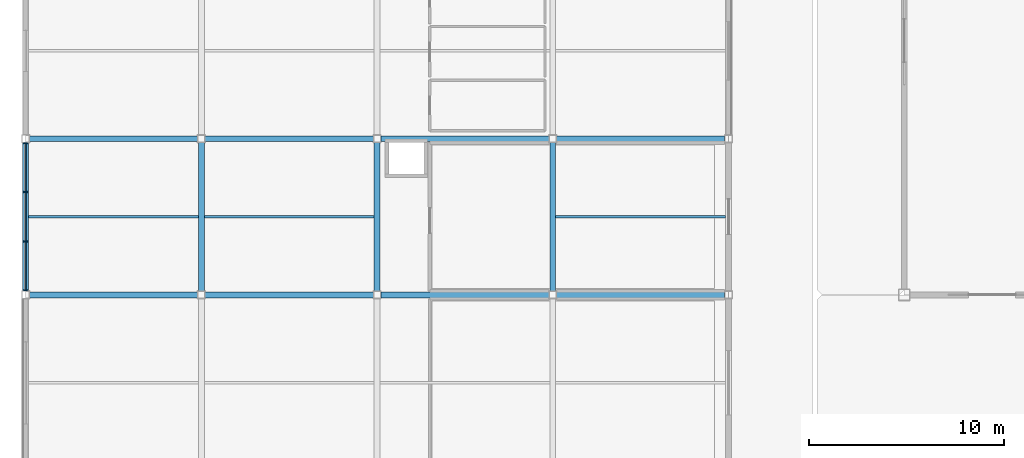
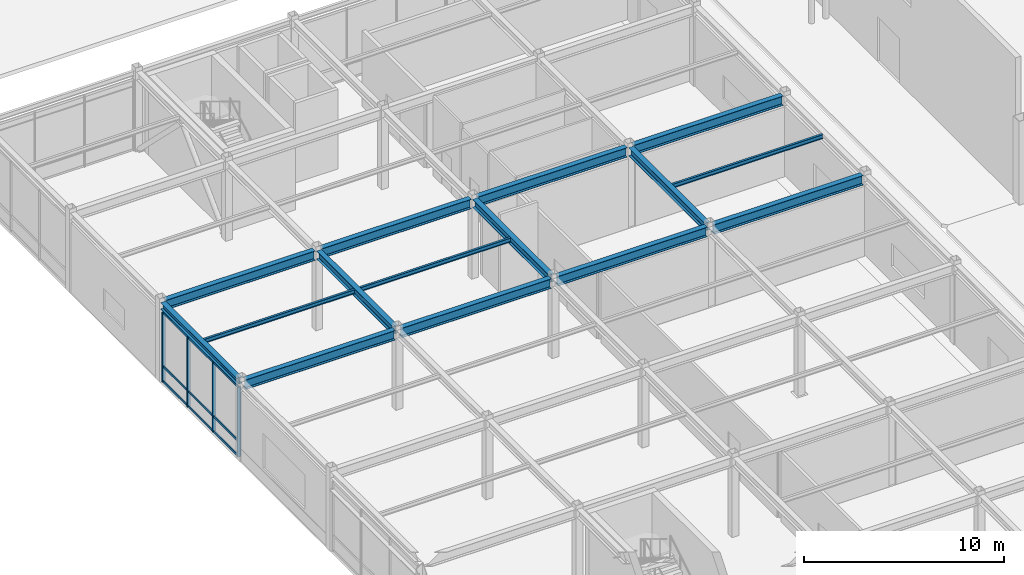
# One storey, part 31 of 123: 15 beams, 13 members, 1 element without a shape of its own.
"""IFC4 building model written with IfcOpenShell, lengths in metres."""

import ifcopenshell
import ifcopenshell.guid

model = None  # the IFC model being written
_history = None  # IfcOwnerHistory: only IFC2X3 demands one
_inside = {}  # id of a spatial element -> (the spatial element, [elements in it])
_under = {}  # id of a project, library or spatial element -> (it, [spatial elements below it])
_declared = {}  # id of a project -> (the project, [libraries it declares])
_typed = {}  # id of a type object -> (the type object, [elements of that type])
_made_of = {}  # id of a material, layer set ... -> (it, [elements and type objects made of it])


def new_model(schema):
    """Start an empty IFC model of exactly this schema.

    Asked for "IFC4X3", IfcOpenShell would pick the latest addendum, in which some entities
    have other attributes; the version numbers below select the first issue.
    IFC2X3 requires an IfcOwnerHistory on every rooted entity: one is made here for all.
    """
    global model, _history
    if schema == "IFC4X3":
        model = ifcopenshell.file(schema_version=(4, 3, 0, 0))
    else:
        model = ifcopenshell.file(schema=schema)
    _inside.clear()
    _under.clear()
    _declared.clear()
    _typed.clear()
    _made_of.clear()
    _history = None
    if model.schema == "IFC2X3":
        org = make("IfcOrganization", Name="unknown")
        user = make(
            "IfcPersonAndOrganization",
            ThePerson=make("IfcPerson", FamilyName="unknown"),
            TheOrganization=org,
        )
        app = make(
            "IfcApplication",
            ApplicationDeveloper=org,
            Version="unknown",
            ApplicationFullName="unknown",
            ApplicationIdentifier="unknown",
        )
        _history = make(
            "IfcOwnerHistory",
            OwningUser=user,
            OwningApplication=app,
            ChangeAction="ADDED",
            CreationDate=0,
        )
    return model


def make(cls, **values):
    """One entity of the class cls with the attributes given. An attribute that is None is left unset."""
    return model.create_entity(
        cls, **{name: value for name, value in values.items() if value is not None}
    )


def rooted(cls, **values):
    """An entity with a GlobalId (a new one), such as an element, a storey or a relation."""
    return make(cls, GlobalId=ifcopenshell.guid.new(), OwnerHistory=_history, **values)


def si_unit(unit_type, name, prefix=None):
    """IfcSIUnit, for example si_unit("LENGTHUNIT", "METRE", prefix="MILLI")."""
    return make("IfcSIUnit", UnitType=unit_type, Prefix=prefix, Name=name)


def assignment(units):
    """IfcUnitAssignment: the units of a project."""
    return None if units is None else make("IfcUnitAssignment", Units=units)


def point(xyz):
    """IfcCartesianPoint."""
    return None if xyz is None else make("IfcCartesianPoint", Coordinates=xyz)


def direction(xyz):
    """IfcDirection."""
    return None if xyz is None else make("IfcDirection", DirectionRatios=xyz)


def frame(location, z_axis=None, x_axis=None):
    """IfcAxis2Placement3D, a coordinate frame: its origin and axes. An axis left out is left unset."""
    return make(
        "IfcAxis2Placement3D",
        Location=point(location),
        Axis=direction(z_axis),
        RefDirection=direction(x_axis),
    )


def frame_2d(location, x_axis=None):
    """IfcAxis2Placement2D, a coordinate frame in the plane: its origin and x axis."""
    return make(
        "IfcAxis2Placement2D", Location=point(location), RefDirection=direction(x_axis)
    )


def origin():
    """The frame at (0, 0, 0) with its axes left unset."""
    return frame((0.0, 0.0, 0.0))


def origin_2d():
    """The frame at (0, 0) in the plane with its x axis left unset."""
    return frame_2d((0.0, 0.0))


def place(relative_to, where):
    """IfcLocalPlacement: puts the frame where relative to a parent placement (None: the world)."""
    return make(
        "IfcLocalPlacement", PlacementRelTo=relative_to, RelativePlacement=where
    )


def context(
    kind, dimensions, precision=None, world=None, true_north=None, identifier=None
):
    """IfcGeometricRepresentationContext, for example the 3D "Model" context."""
    return make(
        "IfcGeometricRepresentationContext",
        ContextIdentifier=identifier,
        ContextType=kind,
        CoordinateSpaceDimension=dimensions,
        Precision=precision,
        WorldCoordinateSystem=world,
        TrueNorth=true_north,
    )


def subcontext(parent, identifier, kind, view, scale=None):
    """IfcGeometricRepresentationSubContext, for example "Body" below "Model"."""
    return make(
        "IfcGeometricRepresentationSubContext",
        ContextIdentifier=identifier,
        ContextType=kind,
        ParentContext=parent,
        TargetScale=scale,
        TargetView=view,
    )


def project(units=None, contexts=None):
    """IfcProject with its units and contexts."""
    return rooted(
        "IfcProject",
        Name="project",
        RepresentationContexts=contexts,
        UnitsInContext=assignment(units),
    )


def spatial(cls, under=None, at=None, **own):
    """A site, building, storey or space (cls), placed at a placement, below another one or the project."""
    s = rooted(cls, ObjectPlacement=at, **own)
    if under is not None:
        _under.setdefault(under.id(), (under, []))[1].append(s)
    return s


def profile(cls, at=None, kind="AREA", **sizes):
    """A parametric profile (cls). Its sizes go by their IFC names, for example OverallWidth=200.0."""
    return make(cls, ProfileType=kind, Position=at, **sizes)


def rectangle(**sizes):
    """IfcRectangleProfileDef."""
    return profile("IfcRectangleProfileDef", **sizes)


def i_section(**sizes):
    """IfcIShapeProfileDef."""
    return profile("IfcIShapeProfileDef", **sizes)


def extrude(swept, where, along, depth):
    """IfcExtrudedAreaSolid: the profile swept, set in the frame where, extruded along a direction by depth."""
    return make(
        "IfcExtrudedAreaSolid",
        SweptArea=swept,
        Position=where,
        ExtrudedDirection=direction(along),
        Depth=depth,
    )


def shape(context_of_items, identifier, shape_type, items):
    """IfcShapeRepresentation: the items that make up one representation, for example the "Body"."""
    return make(
        "IfcShapeRepresentation",
        ContextOfItems=context_of_items,
        RepresentationIdentifier=identifier,
        RepresentationType=shape_type,
        Items=items,
    )


def material(Name=None, Category=None):
    """IfcMaterial."""
    return make("IfcMaterial", Name=Name, Category=Category)


def material_profile(
    of_material, cross_section, Name=None, Category=None, Priority=None
):
    """IfcMaterialProfile: a cross section and its material."""
    return make(
        "IfcMaterialProfile",
        Name=Name,
        Material=of_material,
        Profile=cross_section,
        Priority=Priority,
        Category=Category,
    )


def profile_set(profiles, Name=None, composite=None):
    """IfcMaterialProfileSet."""
    return make(
        "IfcMaterialProfileSet",
        Name=Name,
        MaterialProfiles=profiles,
        CompositeProfile=composite,
    )


def made_of(thing, what):
    """Note that an element or type object is made of a material, layer set ...; save() writes the relation."""
    if what is not None:
        _made_of.setdefault(what.id(), (what, []))[1].append(thing)
    return thing


def type_object(cls, material=None, **own):
    """A type object (cls), such as IfcWallType, which elements share."""
    return made_of(rooted(cls, **own), material)


def element(
    cls,
    number,
    at=None,
    inside=None,
    cuts=None,
    type_object=None,
    material=None,
    context=None,
    identifier="Body",
    shape_type=None,
    held_by="IfcProductDefinitionShape",
    body=None,
    shapes=None,
    **own,
):
    """One element of the class cls, such as IfcWall. Its Tag is "e" and its number.

    at: its placement. inside: the storey or other place that contains it. cuts: it is an
    opening in that element (IfcRelVoidsElement). A single representation is given by context,
    identifier, shape_type and body (its items); several are given by shapes. held_by: the class
    of the entity that holds the representations. save() writes the other relations.
    """
    e = rooted(cls, Tag="e%d" % number, ObjectPlacement=at, **own)
    if body is not None:
        shapes = [shape(context, identifier, shape_type, body)]
    if shapes is not None:
        e.Representation = make(held_by, Representations=shapes)
    if inside is not None:
        _inside.setdefault(inside.id(), (inside, []))[1].append(e)
    if cuts is not None:
        rooted(
            "IfcRelVoidsElement", RelatingBuildingElement=cuts, RelatedOpeningElement=e
        )
    if type_object is not None:
        _typed.setdefault(type_object.id(), (type_object, []))[1].append(e)
    return made_of(e, material)


def aggregate(whole, parts):
    """IfcRelAggregates: a whole, such as a stair, and the parts it consists of."""
    return rooted("IfcRelAggregates", RelatingObject=whole, RelatedObjects=parts)


def save(model, path):
    """Write the relations noted so far, then the file.

    IfcRelAggregates (storeys below a building ...), IfcRelContainedInSpatialStructure (elements
    in a storey), IfcRelDefinesByType, IfcRelAssociatesMaterial and IfcRelDeclares: one each for
    every whole, place, type object, material and project.
    """
    for whole, parts in _under.values():
        aggregate(whole, parts)
    for where, things in _inside.values():
        rooted(
            "IfcRelContainedInSpatialStructure",
            RelatedElements=things,
            RelatingStructure=where,
        )
    for kind, things in _typed.values():
        rooted("IfcRelDefinesByType", RelatedObjects=things, RelatingType=kind)
    for what, things in _made_of.values():
        rooted("IfcRelAssociatesMaterial", RelatedObjects=things, RelatingMaterial=what)
    for by, libraries in _declared.values():
        rooted("IfcRelDeclares", RelatingContext=by, RelatedDefinitions=libraries)
    model.write(path)


model = new_model("IFC4")

# Units and contexts
model_context = context("Model", 3, precision=1e-05, world=origin(), true_north=direction((0.0, 1.0)))
body_context = subcontext(model_context, "Body", "Model", "MODEL_VIEW")
ifc_project = project(units=[si_unit("LENGTHUNIT", "METRE"), si_unit("AREAUNIT", "SQUARE_METRE"), si_unit("VOLUMEUNIT", "CUBIC_METRE"), si_unit("PLANEANGLEUNIT", "RADIAN"), si_unit("MASSUNIT", "GRAM", prefix="KILO")], contexts=[model_context])

# Site, building, storey
site_placement = place(None, origin())
site = spatial("IfcSite", under=ifc_project, at=site_placement, CompositionType="ELEMENT")
building_placement = place(site_placement, origin())
building = spatial("IfcBuilding", under=site, at=building_placement, Name="Suzunagisa Mobility Hub", CompositionType="ELEMENT")
storey_placement = place(building_placement, origin())
storey = spatial("IfcBuildingStorey", under=building, at=storey_placement, Name="L00", CompositionType="ELEMENT", Elevation=0.0)

# Curtain wall, members
ifc_material_1 = material(Name="Thermally Broken Anodized Aluminum and Low-E Glazing", Category="aluminium")
curtain_wall_type = type_object("IfcCurtainWallType", Name="Unitised Curtain Wall CW-19 7500x4300", PredefinedType="USERDEFINED", material=ifc_material_1)
curtain_wall_placement = place(storey_placement, origin())
curtain_wall = element("IfcCurtainWall", 1, at=curtain_wall_placement, inside=storey, type_object=curtain_wall_type, Name="L00 Unitised Curtain Wall CW-8", ObjectType="UNITISED CURTAIN WALL", PredefinedType="USERDEFINED")
ifc_material_2 = material(Name="Anodized Aluminum 6063-T6", Category="aluminium")
ifc_material_profile_1 = material_profile(ifc_material_2, rectangle(XDim=0.06494140625, YDim=0.139892578125, at=origin_2d()), Name="TRAN-65x140")
ifc_profile_set_1 = profile_set([ifc_material_profile_1], Name="Anodized Aluminum 6063-T6")
member_type_1 = type_object("IfcMemberType", Name="Curtain Wall Framing CM-01 TRAN-65x140", PredefinedType="USERDEFINED", material=ifc_profile_set_1)
member_1_placement = place(storey_placement, frame((0.0, 43.737060546875, 0.032470703125), z_axis=(0.0, -1.0, 0.0), x_axis=(1.0, 0.0, 0.0)))
member_1 = element("IfcMember", 2, at=member_1_placement, type_object=member_type_1, Name="Curtain Wall Transom 8-T1.1", ObjectType="TRANSOM", PredefinedType="USERDEFINED", context=body_context, shape_type="SweptSolid", body=[
    extrude(rectangle(XDim=0.06494140625, YDim=0.139892578125, at=origin_2d()), origin(), (0.0, 0.0, 1.0), 2.43994140625),
])
member_2_placement = place(storey_placement, frame((0.0, 43.737060546875, 0.949951171875), z_axis=(0.0, -1.0, 0.0), x_axis=(1.0, 0.0, 0.0)))
member_2 = element("IfcMember", 3, at=member_2_placement, type_object=member_type_1, Name="Curtain Wall Transom 8-T1.2", ObjectType="TRANSOM", PredefinedType="USERDEFINED", context=body_context, shape_type="SweptSolid", body=[
    extrude(rectangle(XDim=0.06494140625, YDim=0.139892578125, at=origin_2d()), origin(), (0.0, 0.0, 1.0), 2.43994140625),
])
member_3_placement = place(storey_placement, frame((0.0, 43.737060546875, 4.2294921875), z_axis=(0.0, -1.0, 0.0), x_axis=(1.0, 0.0, 0.0)))
member_3 = element("IfcMember", 4, at=member_3_placement, type_object=member_type_1, Name="Curtain Wall Transom 8-T1.3", ObjectType="TRANSOM", PredefinedType="USERDEFINED", context=body_context, shape_type="SweptSolid", body=[
    extrude(rectangle(XDim=0.06494140625, YDim=0.139892578125, at=origin_2d()), origin(), (0.0, 0.0, 1.0), 2.43994140625),
])
member_4_placement = place(storey_placement, frame((0.0, 41.236083984375, 0.032470703125), z_axis=(0.0, -1.0, 0.0), x_axis=(1.0, 0.0, 0.0)))
member_4 = element("IfcMember", 5, at=member_4_placement, type_object=member_type_1, Name="Curtain Wall Transom 8-T2.1", ObjectType="TRANSOM", PredefinedType="USERDEFINED", context=body_context, shape_type="SweptSolid", body=[
    extrude(rectangle(XDim=0.06494140625, YDim=0.139892578125, at=origin_2d()), origin(), (0.0, 0.0, 1.0), 2.47216796875),
])
member_5_placement = place(storey_placement, frame((0.0, 41.236083984375, 0.949951171875), z_axis=(0.0, -1.0, 0.0), x_axis=(1.0, 0.0, 0.0)))
member_5 = element("IfcMember", 6, at=member_5_placement, type_object=member_type_1, Name="Curtain Wall Transom 8-T2.2", ObjectType="TRANSOM", PredefinedType="USERDEFINED", context=body_context, shape_type="SweptSolid", body=[
    extrude(rectangle(XDim=0.06494140625, YDim=0.139892578125, at=origin_2d()), origin(), (0.0, 0.0, 1.0), 2.47216796875),
])
member_6_placement = place(storey_placement, frame((0.0, 41.236083984375, 4.2294921875), z_axis=(0.0, -1.0, 0.0), x_axis=(1.0, 0.0, 0.0)))
member_6 = element("IfcMember", 7, at=member_6_placement, type_object=member_type_1, Name="Curtain Wall Transom 8-T2.3", ObjectType="TRANSOM", PredefinedType="USERDEFINED", context=body_context, shape_type="SweptSolid", body=[
    extrude(rectangle(XDim=0.06494140625, YDim=0.139892578125, at=origin_2d()), origin(), (0.0, 0.0, 1.0), 2.47216796875),
])
member_7_placement = place(storey_placement, frame((0.0, 38.702880859375, 0.032470703125), z_axis=(0.0, -1.0, 0.0), x_axis=(1.0, 0.0, 0.0)))
member_7 = element("IfcMember", 8, at=member_7_placement, type_object=member_type_1, Name="Curtain Wall Transom 8-T3.1", ObjectType="TRANSOM", PredefinedType="USERDEFINED", context=body_context, shape_type="SweptSolid", body=[
    extrude(rectangle(XDim=0.06494140625, YDim=0.139892578125, at=origin_2d()), origin(), (0.0, 0.0, 1.0), 2.43994140625),
])
member_8_placement = place(storey_placement, frame((0.0, 38.702880859375, 0.949951171875), z_axis=(0.0, -1.0, 0.0), x_axis=(1.0, 0.0, 0.0)))
member_8 = element("IfcMember", 9, at=member_8_placement, type_object=member_type_1, Name="Curtain Wall Transom 8-T3.2", ObjectType="TRANSOM", PredefinedType="USERDEFINED", context=body_context, shape_type="SweptSolid", body=[
    extrude(rectangle(XDim=0.06494140625, YDim=0.139892578125, at=origin_2d()), origin(), (0.0, 0.0, 1.0), 2.43994140625),
])
member_9_placement = place(storey_placement, frame((0.0, 38.702880859375, 4.2294921875), z_axis=(0.0, -1.0, 0.0), x_axis=(1.0, 0.0, 0.0)))
member_9 = element("IfcMember", 10, at=member_9_placement, type_object=member_type_1, Name="Curtain Wall Transom 8-T3.3", ObjectType="TRANSOM", PredefinedType="USERDEFINED", context=body_context, shape_type="SweptSolid", body=[
    extrude(rectangle(XDim=0.06494140625, YDim=0.139892578125, at=origin_2d()), origin(), (0.0, 0.0, 1.0), 2.43994140625),
])
ifc_material_profile_2 = material_profile(ifc_material_2, rectangle(XDim=0.06494140625, YDim=0.179931640625, at=origin_2d()), Name="MULL-65x180")
ifc_profile_set_2 = profile_set([ifc_material_profile_2], Name="Anodized Aluminum 6063-T6")
member_type_2 = type_object("IfcMemberType", Name="Curtain Wall Framing CM-04 MULL-65x180", PredefinedType="MULLION", material=ifc_profile_set_2)
member_10_placement = place(storey_placement, frame((0.0, 43.767578125, 0.0), z_axis=(0.0, 0.0, 1.0), x_axis=(0.0, -1.0, 0.0)))
member_10 = element("IfcMember", 11, at=member_10_placement, type_object=member_type_2, Name="Curtain Wall Mullion 8-M1", PredefinedType="MULLION", context=body_context, shape_type="SweptSolid", body=[
    extrude(rectangle(XDim=0.06494140625, YDim=0.179931640625, at=origin_2d()), origin(), (0.0, 0.0, 1.0), 4.261962890625),
])
member_11_placement = place(storey_placement, frame((0.0, 41.2666015625, 0.0), z_axis=(0.0, 0.0, 1.0), x_axis=(0.0, -1.0, 0.0)))
member_11 = element("IfcMember", 12, at=member_11_placement, type_object=member_type_2, Name="Curtain Wall Mullion 8-M2", PredefinedType="MULLION", context=body_context, shape_type="SweptSolid", body=[
    extrude(rectangle(XDim=0.06494140625, YDim=0.179931640625, at=origin_2d()), origin(), (0.0, 0.0, 1.0), 4.261962890625),
])
member_12_placement = place(storey_placement, frame((0.0, 38.7333984375, 0.0), z_axis=(0.0, 0.0, 1.0), x_axis=(0.0, -1.0, 0.0)))
member_12 = element("IfcMember", 13, at=member_12_placement, type_object=member_type_2, Name="Curtain Wall Mullion 8-M3", PredefinedType="MULLION", context=body_context, shape_type="SweptSolid", body=[
    extrude(rectangle(XDim=0.06494140625, YDim=0.179931640625, at=origin_2d()), origin(), (0.0, 0.0, 1.0), 4.261962890625),
])
member_13_placement = place(storey_placement, frame((0.0, 36.232421875, 0.0), z_axis=(0.0, 0.0, 1.0), x_axis=(0.0, -1.0, 0.0)))
member_13 = element("IfcMember", 14, at=member_13_placement, type_object=member_type_2, Name="Curtain Wall Mullion 8-M4", PredefinedType="MULLION", context=body_context, shape_type="SweptSolid", body=[
    extrude(rectangle(XDim=0.06494140625, YDim=0.179931640625, at=origin_2d()), origin(), (0.0, 0.0, 1.0), 4.261962890625),
])
aggregate(curtain_wall, [member_10, member_11, member_12, member_13, member_1, member_2, member_3, member_4, member_5, member_6, member_7, member_8, member_9])

# Beams
ifc_material_3 = material(Name="Steel SN490B", Category="steel")
ifc_material_profile_3 = material_profile(ifc_material_3, i_section(OverallWidth=0.300048828125, OverallDepth=0.488037109375, WebThickness=0.010986328125, FlangeThickness=0.01806640625, FilletRadius=0.012939453125, at=origin_2d()), Name="H-488x300x11x18")
ifc_profile_set_3 = profile_set([ifc_material_profile_3], Name="Steel SN490B")
beam_type_1 = type_object("IfcBeamType", Name="Steel Beam BM-06 H-488x300x11x18", PredefinedType="BEAM", material=ifc_profile_set_3)
for number, where, z_axis, x_axis, name in (
    (15, (9.0, 36.196044921875, 4.60595703125), (0.0, 1.0, 0.0), (-1.0, 0.0, 0.0), "L00 Primary Girder GY-132"),
    (16, (18.0, 36.196044921875, 4.60595703125), (0.0, 1.0, 0.0), (-1.0, 0.0, 0.0), "L00 Primary Girder GY-139"),
    (17, (27.0, 36.196044921875, 4.60595703125), (0.0, 1.0, 0.0), (-1.0, 0.0, 0.0), "L00 Primary Girder GY-146"),
):
    element("IfcBeam", number, at=place(storey_placement, frame(where, z_axis=z_axis, x_axis=x_axis)), inside=storey, type_object=beam_type_1, Name=name, PredefinedType="BEAM", context=body_context, shape_type="SweptSolid", body=[
        extrude(i_section(OverallWidth=0.300048828125, OverallDepth=0.488037109375, WebThickness=0.010986328125, FlangeThickness=0.01806640625, FilletRadius=0.012939453125, at=origin_2d()), origin(), (0.0, 0.0, 1.0), 7.60791015625),
    ])
ifc_material_profile_4 = material_profile(ifc_material_3, i_section(OverallWidth=0.300048828125, OverallDepth=0.389892578125, WebThickness=0.010009765625, FlangeThickness=0.01611328125, FilletRadius=0.012939453125, at=origin_2d()), Name="H-390x300x10x16")
ifc_profile_set_4 = profile_set([ifc_material_profile_4], Name="Steel SN490B")
beam_type_2 = type_object("IfcBeamType", Name="Steel Beam BM-13 H-390x300x10x16", PredefinedType="SPANDREL", material=ifc_profile_set_4)
beam_placement = place(storey_placement, frame((0.0, 36.196044921875, 4.655029296875), z_axis=(0.0, 1.0, 0.0), x_axis=(-1.0, 0.0, 0.0)))
element("IfcBeam", 18, at=beam_placement, inside=storey, type_object=beam_type_2, Name="L00 Primary Girder GY-125", PredefinedType="SPANDREL", context=body_context, shape_type="SweptSolid", body=[
    extrude(i_section(OverallWidth=0.300048828125, OverallDepth=0.389892578125, WebThickness=0.010009765625, FlangeThickness=0.01611328125, FilletRadius=0.012939453125, at=origin_2d()), origin(), (0.0, 0.0, 1.0), 7.60791015625),
])
ifc_material_profile_5 = material_profile(ifc_material_3, i_section(OverallWidth=0.300048828125, OverallDepth=0.587890625, WebThickness=0.011962890625, FlangeThickness=0.02001953125, FilletRadius=0.012939453125, at=origin_2d()), Name="H-588x300x12x20")
ifc_profile_set_5 = profile_set([ifc_material_profile_5], Name="Steel SN490B")
beam_type_3 = type_object("IfcBeamType", Name="Steel Beam BM-16 H-588x300x12x20", PredefinedType="BEAM", material=ifc_profile_set_5)
for number, where, z_axis, x_axis, name in (
    (19, (0.196044921875, 36.0, 4.555908203125), (1.0, 0.0, 0.0), (0.0, 1.0, 0.0), "L00 Primary Girder GX-106"),
    (20, (9.196044921875, 36.0, 4.555908203125), (1.0, 0.0, 0.0), (0.0, 1.0, 0.0), "L00 Primary Girder GX-107"),
    (21, (18.196044921875, 36.0, 4.555908203125), (1.0, 0.0, 0.0), (0.0, 1.0, 0.0), "L00 Primary Girder GX-108"),
    (22, (27.196044921875, 36.0, 4.555908203125), (1.0, 0.0, 0.0), (0.0, 1.0, 0.0), "L00 Primary Girder GX-109"),
    (23, (0.196044921875, 44.0, 4.555908203125), (1.0, 0.0, 0.0), (0.0, 1.0, 0.0), "L00 Primary Girder GX-110"),
    (24, (9.196044921875, 44.0, 4.555908203125), (1.0, 0.0, 0.0), (0.0, 1.0, 0.0), "L00 Primary Girder GX-111"),
    (25, (18.196044921875, 44.0, 4.555908203125), (1.0, 0.0, 0.0), (0.0, 1.0, 0.0), "L00 Primary Girder GX-112"),
    (26, (27.196044921875, 44.0, 4.555908203125), (1.0, 0.0, 0.0), (0.0, 1.0, 0.0), "L00 Primary Girder GX-113"),
):
    element("IfcBeam", number, at=place(storey_placement, frame(where, z_axis=z_axis, x_axis=x_axis)), inside=storey, type_object=beam_type_3, Name=name, PredefinedType="BEAM", context=body_context, shape_type="SweptSolid", body=[
        extrude(i_section(OverallWidth=0.300048828125, OverallDepth=0.587890625, WebThickness=0.011962890625, FlangeThickness=0.02001953125, FilletRadius=0.012939453125, at=origin_2d()), origin(), (0.0, 0.0, 1.0), 8.60791015625),
    ])
ifc_material_4 = material(Name="Steel SN400B", Category="steel")
ifc_material_profile_6 = material_profile(ifc_material_4, i_section(OverallWidth=0.125, OverallDepth=0.25, WebThickness=0.006103515625, FlangeThickness=0.009033203125, FilletRadius=0.008056640625, at=origin_2d()), Name="H-250x125x6x9")
ifc_profile_set_6 = profile_set([ifc_material_profile_6], Name="Steel SN400B")
beam_type_4 = type_object("IfcBeamType", Name="Steel Beam BM-21 H-250x125x6x9", PredefinedType="JOIST", material=ifc_profile_set_6)
for number, where, z_axis, x_axis, name in (
    (27, (0.14990234375, 40.0, 4.72509765625), (1.0, 0.0, 0.0), (0.0, 1.0, 0.0), "L00 Composite Floor Joist J-160"),
    (28, (9.14990234375, 40.0, 4.72509765625), (1.0, 0.0, 0.0), (0.0, 1.0, 0.0), "L00 Composite Floor Joist J-166"),
    (29, (27.14990234375, 40.0, 4.72509765625), (1.0, 0.0, 0.0), (0.0, 1.0, 0.0), "L00 Composite Floor Joist J-178"),
):
    element("IfcBeam", number, at=place(storey_placement, frame(where, z_axis=z_axis, x_axis=x_axis)), inside=storey, type_object=beam_type_4, Name=name, PredefinedType="JOIST", context=body_context, shape_type="SweptSolid", body=[
        extrude(i_section(OverallWidth=0.125, OverallDepth=0.25, WebThickness=0.006103515625, FlangeThickness=0.009033203125, FilletRadius=0.008056640625, at=origin_2d()), origin(), (0.0, 0.0, 1.0), 8.7001953125),
    ])

save(model, "model.ifc")
